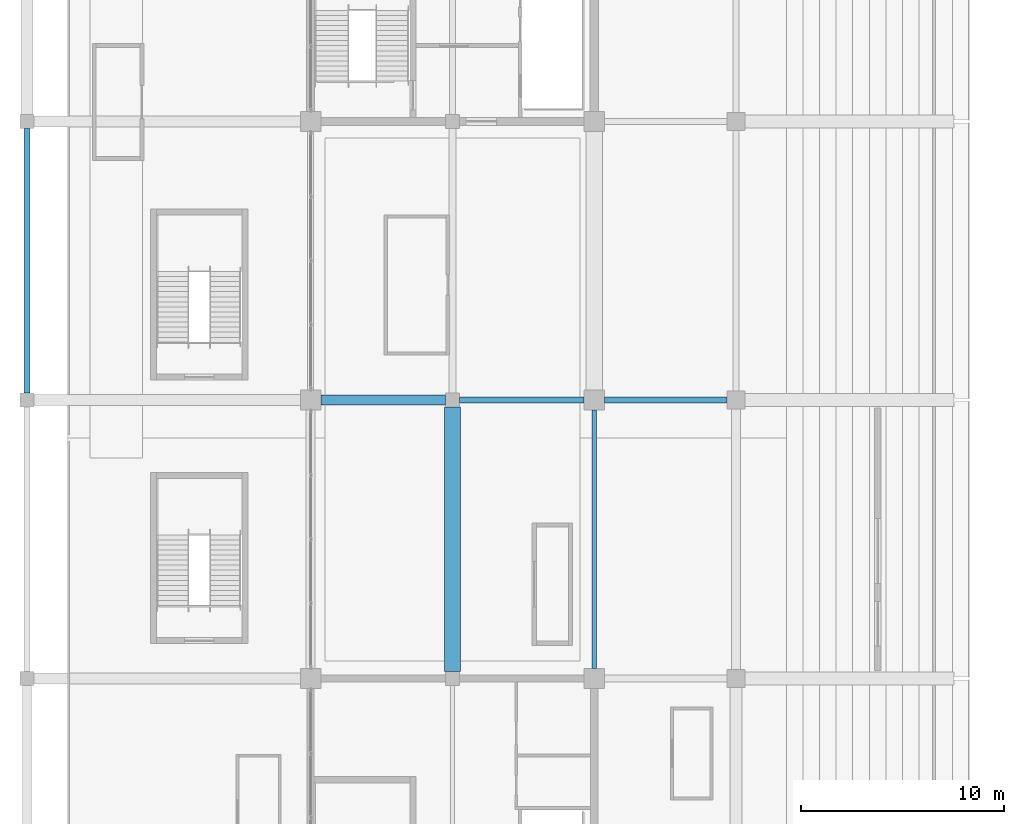
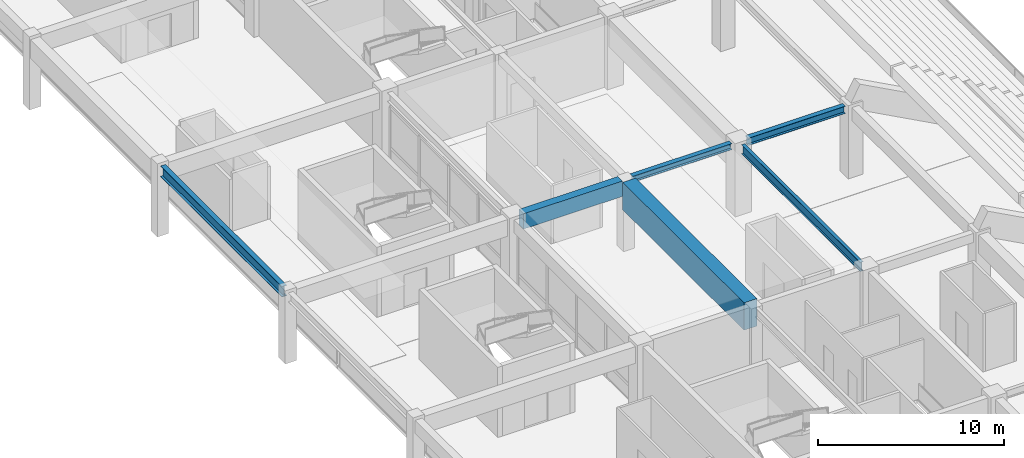
# One storey, part 26 of 94: 6 beams.
"""IFC4 building model written with IfcOpenShell, lengths in metres."""

from ifc_helpers import new_model, si_unit, direction, frame, origin, origin_2d, place, context, subcontext, project, spatial, rectangle, i_section, extrude, material, material_profile, profile_set, type_object, element, save


model = new_model("IFC4")

# Units and contexts
model_context = context("Model", 3, precision=1e-05, world=origin(), true_north=direction((0.0, 1.0)))
body_context = subcontext(model_context, "Body", "Model", "MODEL_VIEW")
ifc_project = project(units=[si_unit("LENGTHUNIT", "METRE"), si_unit("AREAUNIT", "SQUARE_METRE"), si_unit("VOLUMEUNIT", "CUBIC_METRE"), si_unit("PLANEANGLEUNIT", "RADIAN"), si_unit("MASSUNIT", "GRAM", prefix="KILO")], contexts=[model_context])

# Site, building, storey
site_placement = place(None, origin())
site = spatial("IfcSite", under=ifc_project, at=site_placement, CompositionType="ELEMENT")
building_placement = place(site_placement, origin())
building = spatial("IfcBuilding", under=site, at=building_placement, Name="Linyun Crest Stadium", CompositionType="ELEMENT")
storey_placement = place(building_placement, frame((0.0, 0.0, 16.199951171875)))
storey = spatial("IfcBuildingStorey", under=building, at=storey_placement, Name="L04", CompositionType="ELEMENT", Elevation=16.199951171875)

# Beams
ifc_material_1 = material(Name="Concrete C40", Category="concrete")
ifc_material_profile_1 = material_profile(ifc_material_1, rectangle(XDim=0.5, YDim=1.0, at=origin_2d()), Name="RCB 1000x500")
ifc_profile_set_1 = profile_set([ifc_material_profile_1], Name="Concrete C40")
beam_type_1 = type_object("IfcBeamType", Name="B05", PredefinedType="BEAM", material=ifc_profile_set_1)
beam_1_placement = place(storey_placement, frame((-83.5, -11.625, 4.10009765625), z_axis=(1.0, 0.0, 0.0), x_axis=(0.0, 1.0, 0.0)))
element("IfcBeam", 1, at=beam_1_placement, inside=storey, type_object=beam_type_1, Name="Frame beam B05 L04 307", PredefinedType="BEAM", context=body_context, shape_type="SweptSolid", body=[
    extrude(rectangle(XDim=0.5, YDim=1.0, at=origin_2d()), origin(), (0.0, 0.0, 1.0), 6.14990234375),
])
ifc_material_2 = material(Name="Steel Q355C", Category="steel")
ifc_material_profile_2 = material_profile(ifc_material_2, i_section(OverallWidth=0.300048828125, OverallDepth=0.389892578125, WebThickness=0.010009765625, FlangeThickness=0.01611328125, at=origin_2d()), Name="HM 390x300")
ifc_profile_set_2 = profile_set([ifc_material_profile_2], Name="Steel Q355C")
beam_type_2 = type_object("IfcBeamType", Name="B06", PredefinedType="BEAM", material=ifc_profile_set_2)
beam_2_placement = place(storey_placement, frame((-76.64990234375, -11.625, 4.405029296875), z_axis=(1.0, 0.0, 0.0), x_axis=(0.0, 1.0, 0.0)))
element("IfcBeam", 2, at=beam_2_placement, inside=storey, type_object=beam_type_2, Name="Frame beam B06 L04 308", PredefinedType="BEAM", context=body_context, shape_type="SweptSolid", body=[
    extrude(i_section(OverallWidth=0.300048828125, OverallDepth=0.389892578125, WebThickness=0.010009765625, FlangeThickness=0.01611328125, at=origin_2d()), origin(), (0.0, 0.0, 1.0), 6.14990234375),
])
ifc_material_3 = material(Name="Steel Q355C", Category="steel")
ifc_material_profile_3 = material_profile(ifc_material_3, i_section(OverallWidth=0.300048828125, OverallDepth=0.488037109375, WebThickness=0.010986328125, FlangeThickness=0.01806640625, at=origin_2d()), Name="HM 488x300")
ifc_profile_set_3 = profile_set([ifc_material_profile_3], Name="Steel Q355C")
beam_type_3 = type_object("IfcBeamType", Name="B08", PredefinedType="BEAM", material=ifc_profile_set_3)
beam_3_placement = place(storey_placement, frame((-69.5, -11.625, 4.35595703125), z_axis=(1.0, 0.0, 0.0), x_axis=(0.0, 1.0, 0.0)))
element("IfcBeam", 3, at=beam_3_placement, inside=storey, type_object=beam_type_3, Name="Frame beam B08 L04 309", PredefinedType="BEAM", context=body_context, shape_type="SweptSolid", body=[
    extrude(i_section(OverallWidth=0.300048828125, OverallDepth=0.488037109375, WebThickness=0.010986328125, FlangeThickness=0.01806640625, at=origin_2d()), origin(), (0.0, 0.0, 1.0), 6.050048828125),
])
ifc_material_4 = material(Name="Steel Q355C", Category="steel")
ifc_material_profile_4 = material_profile(ifc_material_4, i_section(OverallWidth=0.199951171875, OverallDepth=0.60009765625, WebThickness=0.010986328125, FlangeThickness=0.01708984375, at=origin_2d()), Name="HN 600x200")
ifc_profile_set_4 = profile_set([ifc_material_profile_4], Name="Steel Q355C")
beam_type_4 = type_object("IfcBeamType", Name="B11", PredefinedType="BEAM", material=ifc_profile_set_4)
beam_4_placement = place(storey_placement, frame((-70.0, -24.875, 4.300048828125), z_axis=(0.0, 1.0, 0.0), x_axis=(-1.0, 0.0, 0.0)))
element("IfcBeam", 4, at=beam_4_placement, inside=storey, type_object=beam_type_4, Name="Frame beam B11 L04 339", PredefinedType="BEAM", context=body_context, shape_type="SweptSolid", body=[
    extrude(i_section(OverallWidth=0.199951171875, OverallDepth=0.60009765625, WebThickness=0.010986328125, FlangeThickness=0.01708984375, at=origin_2d()), origin(), (0.0, 0.0, 1.0), 12.75),
])
ifc_material_5 = material(Name="Steel Q355C", Category="steel")
ifc_material_profile_5 = material_profile(ifc_material_5, i_section(OverallWidth=0.300048828125, OverallDepth=0.699951171875, WebThickness=0.012939453125, FlangeThickness=0.02392578125, at=origin_2d()), Name="HN 700x300")
ifc_profile_set_5 = profile_set([ifc_material_profile_5], Name="Steel Q355C")
beam_type_5 = type_object("IfcBeamType", Name="B12", PredefinedType="BEAM", material=ifc_profile_set_5)
beam_5_placement = place(storey_placement, frame((-98.0, -11.27490234375, 4.25), z_axis=(0.0, 1.0, 0.0), x_axis=(-1.0, 0.0, 0.0)))
element("IfcBeam", 5, at=beam_5_placement, inside=storey, type_object=beam_type_5, Name="Frame beam B12 L04 323", PredefinedType="BEAM", context=body_context, shape_type="SweptSolid", body=[
    extrude(i_section(OverallWidth=0.300048828125, OverallDepth=0.699951171875, WebThickness=0.012939453125, FlangeThickness=0.02392578125, at=origin_2d()), origin(), (0.0, 0.0, 1.0), 13.0498046875),
])
ifc_material_6 = material(Name="Concrete C50", Category="concrete")
ifc_material_profile_6 = material_profile(ifc_material_6, rectangle(XDim=0.800048828125, YDim=1.800048828125, at=origin_2d()), Name="RCB 1800x800")
ifc_profile_set_6 = profile_set([ifc_material_profile_6], Name="Concrete C50")
beam_type_6 = type_object("IfcBeamType", Name="B14", PredefinedType="BEAM", material=ifc_profile_set_6)
beam_6_placement = place(storey_placement, frame((-77.0, -25.02490234375, 3.699951171875), z_axis=(0.0, 1.0, 0.0), x_axis=(-1.0, 0.0, 0.0)))
element("IfcBeam", 6, at=beam_6_placement, inside=storey, type_object=beam_type_6, Name="Frame beam B14 L04 333", PredefinedType="BEAM", context=body_context, shape_type="SweptSolid", body=[
    extrude(rectangle(XDim=0.800048828125, YDim=1.800048828125, at=origin_2d()), origin(), (0.0, 0.0, 1.0), 13.0498046875),
])

save(model, "model.ifc")
